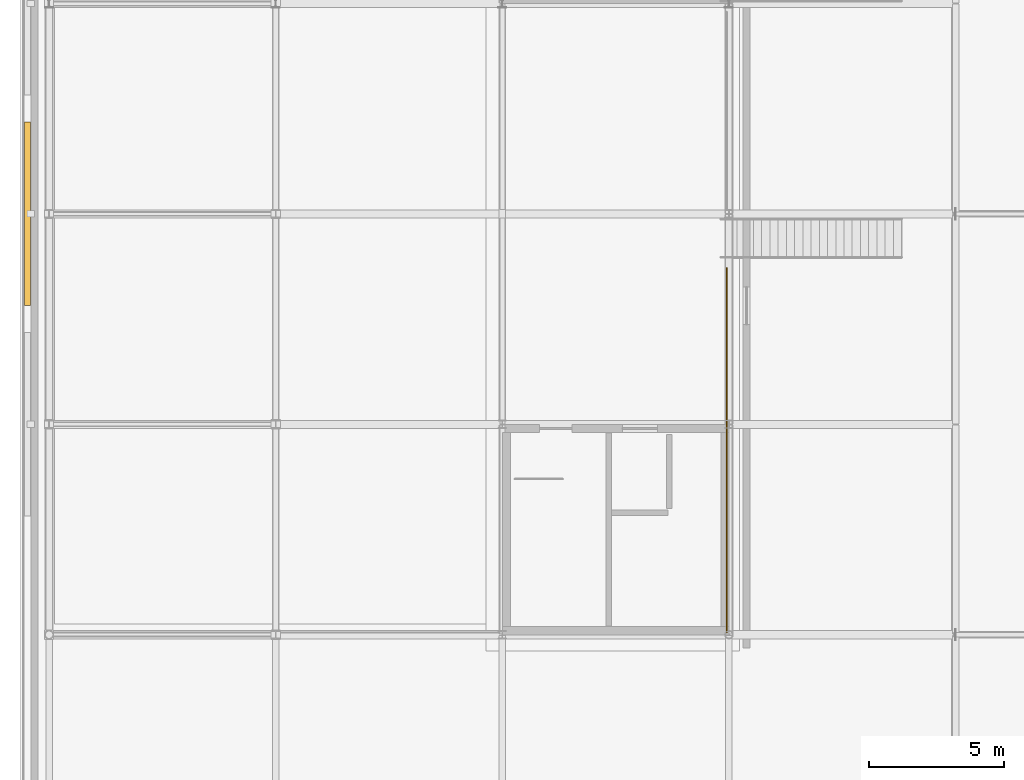
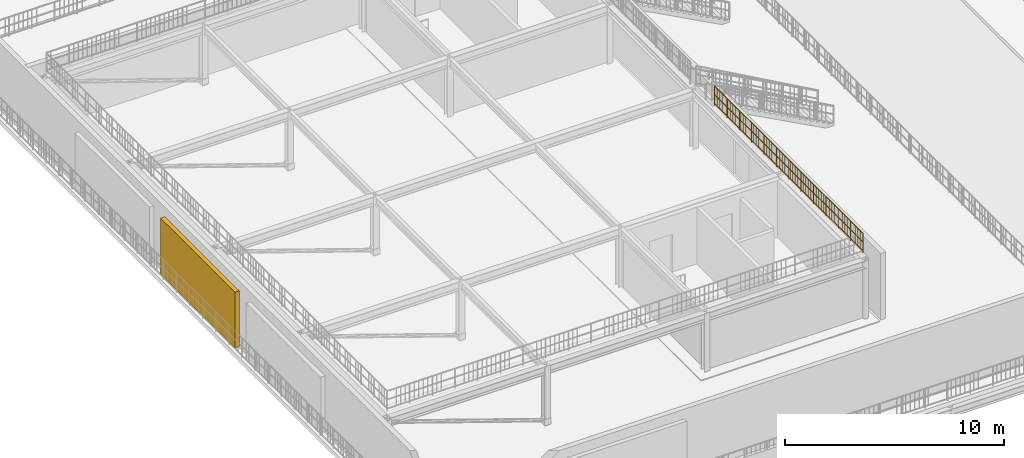
# One storey, part 10 of 16: 1 railing, 1 shading device.
"""IFC4 building model written with IfcOpenShell, lengths in metres."""

from ifc_helpers import new_model, si_unit, direction, frame, origin, origin_2d, place, context, subcontext, project, spatial, rectangle, circle, extrude, material, layer, layer_set, type_object, element, save


model = new_model("IFC4")

# Units and contexts
model_context = context("Model", 3, precision=1e-05, world=origin(), true_north=direction((0.0, 1.0)))
body_context = subcontext(model_context, "Body", "Model", "MODEL_VIEW")
ifc_project = project(units=[si_unit("LENGTHUNIT", "METRE"), si_unit("AREAUNIT", "SQUARE_METRE"), si_unit("VOLUMEUNIT", "CUBIC_METRE"), si_unit("PLANEANGLEUNIT", "RADIAN"), si_unit("MASSUNIT", "GRAM", prefix="KILO")], contexts=[model_context])

# Site, building, storey
site_placement = place(None, origin())
site = spatial("IfcSite", under=ifc_project, at=site_placement, CompositionType="ELEMENT")
building_placement = place(site_placement, origin())
building = spatial("IfcBuilding", under=site, at=building_placement, Name="Nabrawat Pavilion Hospital", CompositionType="ELEMENT")
storey_placement = place(building_placement, frame((0.0, 0.0, 35.10009765625)))
storey = spatial("IfcBuildingStorey", under=building, at=storey_placement, Name="Roof", CompositionType="ELEMENT", Elevation=35.10009765625)

# Railing
ifc_material_1 = material(Name="Stainless Steel 316", Category="steel")
ifc_layer_1 = layer(ifc_material_1, 0.070068359375, Name="Stainless Steel 316")
ifc_layer_set_1 = layer_set([ifc_layer_1], Name="Stainless Steel 316")
railing_type = type_object("IfcRailingType", Name="Exterior Clinical Terrace Safety Guardrail 1100", PredefinedType="GUARDRAIL", material=ifc_layer_set_1)
railing_placement = place(storey_placement, frame((176.320068359375, 46.8798828125, 3.599853515625)))
element("IfcRailing", 1, at=railing_placement, inside=storey, type_object=railing_type, Name="Rooftop Helipad Deck Safety Perimeter Guardrail East-S", PredefinedType="GUARDRAIL", context=body_context, shape_type="SweptSolid", body=[
    extrude(circle(Radius=0.02392578125, at=origin_2d()), frame((0.0, 0.0, 1.076171875), z_axis=(0.0, 1.0, 0.0), x_axis=(-1.0, 0.0, 0.0)), (0.0, 0.0, 1.0), 13.52001953125),
    extrude(circle(Radius=0.02392578125, at=origin_2d()), frame((0.0, 0.0, 0.10009765625), z_axis=(0.0, 1.0, 0.0), x_axis=(-1.0, 0.0, 0.0)), (0.0, 0.0, 1.0), 13.52001953125),
    extrude(circle(Radius=0.02392578125, at=origin_2d()), frame((0.0, 0.0, 0.60498046875), z_axis=(0.0, 1.0, 0.0), x_axis=(-1.0, 0.0, 0.0)), (0.0, 0.0, 1.0), 13.52001953125),
    extrude(circle(Radius=0.008056640625, at=origin_2d()), frame((0.0, 0.2373046875, 0.10009765625)), (0.0, 0.0, 1.0), 0.951904296875),
    extrude(circle(Radius=0.008056640625, at=origin_2d()), frame((0.0, 0.474365234375, 0.10009765625)), (0.0, 0.0, 1.0), 0.951904296875),
    extrude(circle(Radius=0.008056640625, at=origin_2d()), frame((0.0, 0.711669921875, 0.10009765625)), (0.0, 0.0, 1.0), 0.951904296875),
    extrude(circle(Radius=0.008056640625, at=origin_2d()), frame((0.0, 0.94873046875, 0.10009765625)), (0.0, 0.0, 1.0), 0.951904296875),
    extrude(circle(Radius=0.008056640625, at=origin_2d()), frame((0.0, 1.18603515625, 0.10009765625)), (0.0, 0.0, 1.0), 0.951904296875),
    extrude(circle(Radius=0.008056640625, at=origin_2d()), frame((0.0, 1.423095703125, 0.10009765625)), (0.0, 0.0, 1.0), 0.951904296875),
    extrude(circle(Radius=0.008056640625, at=origin_2d()), frame((0.0, 1.660400390625, 0.10009765625)), (0.0, 0.0, 1.0), 0.951904296875),
    extrude(circle(Radius=0.008056640625, at=origin_2d()), frame((0.0, 1.8974609375, 0.10009765625)), (0.0, 0.0, 1.0), 0.951904296875),
    extrude(circle(Radius=0.008056640625, at=origin_2d()), frame((0.0, 2.134765625, 0.10009765625)), (0.0, 0.0, 1.0), 0.951904296875),
    extrude(circle(Radius=0.008056640625, at=origin_2d()), frame((0.0, 2.371826171875, 0.10009765625)), (0.0, 0.0, 1.0), 0.951904296875),
    extrude(circle(Radius=0.008056640625, at=origin_2d()), frame((0.0, 2.609130859375, 0.10009765625)), (0.0, 0.0, 1.0), 0.951904296875),
    extrude(circle(Radius=0.008056640625, at=origin_2d()), frame((0.0, 2.846435546875, 0.10009765625)), (0.0, 0.0, 1.0), 0.951904296875),
    extrude(circle(Radius=0.008056640625, at=origin_2d()), frame((0.0, 3.08349609375, 0.10009765625)), (0.0, 0.0, 1.0), 0.951904296875),
    extrude(circle(Radius=0.008056640625, at=origin_2d()), frame((0.0, 3.32080078125, 0.10009765625)), (0.0, 0.0, 1.0), 0.951904296875),
    extrude(circle(Radius=0.008056640625, at=origin_2d()), frame((0.0, 3.557861328125, 0.10009765625)), (0.0, 0.0, 1.0), 0.951904296875),
    extrude(circle(Radius=0.008056640625, at=origin_2d()), frame((0.0, 3.795166015625, 0.10009765625)), (0.0, 0.0, 1.0), 0.951904296875),
    extrude(circle(Radius=0.008056640625, at=origin_2d()), frame((0.0, 4.0322265625, 0.10009765625)), (0.0, 0.0, 1.0), 0.951904296875),
    extrude(circle(Radius=0.008056640625, at=origin_2d()), frame((0.0, 4.26953125, 0.10009765625)), (0.0, 0.0, 1.0), 0.951904296875),
    extrude(circle(Radius=0.008056640625, at=origin_2d()), frame((0.0, 4.743896484375, 0.10009765625)), (0.0, 0.0, 1.0), 0.951904296875),
    extrude(circle(Radius=0.008056640625, at=origin_2d()), frame((0.0, 4.98095703125, 0.10009765625)), (0.0, 0.0, 1.0), 0.951904296875),
    extrude(circle(Radius=0.008056640625, at=origin_2d()), frame((0.0, 5.21826171875, 0.10009765625)), (0.0, 0.0, 1.0), 0.951904296875),
    extrude(circle(Radius=0.008056640625, at=origin_2d()), frame((0.0, 5.45556640625, 0.10009765625)), (0.0, 0.0, 1.0), 0.951904296875),
    extrude(circle(Radius=0.008056640625, at=origin_2d()), frame((0.0, 5.692626953125, 0.10009765625)), (0.0, 0.0, 1.0), 0.951904296875),
    extrude(circle(Radius=0.008056640625, at=origin_2d()), frame((0.0, 5.929931640625, 0.10009765625)), (0.0, 0.0, 1.0), 0.951904296875),
    extrude(circle(Radius=0.008056640625, at=origin_2d()), frame((0.0, 6.1669921875, 0.10009765625)), (0.0, 0.0, 1.0), 0.951904296875),
    extrude(circle(Radius=0.008056640625, at=origin_2d()), frame((0.0, 6.404296875, 0.10009765625)), (0.0, 0.0, 1.0), 0.951904296875),
    extrude(circle(Radius=0.008056640625, at=origin_2d()), frame((0.0, 6.641357421875, 0.10009765625)), (0.0, 0.0, 1.0), 0.951904296875),
    extrude(circle(Radius=0.008056640625, at=origin_2d()), frame((0.0, 6.878662109375, 0.10009765625)), (0.0, 0.0, 1.0), 0.951904296875),
    extrude(circle(Radius=0.008056640625, at=origin_2d()), frame((0.0, 7.11572265625, 0.10009765625)), (0.0, 0.0, 1.0), 0.951904296875),
    extrude(circle(Radius=0.008056640625, at=origin_2d()), frame((0.0, 7.35302734375, 0.10009765625)), (0.0, 0.0, 1.0), 0.951904296875),
    extrude(circle(Radius=0.008056640625, at=origin_2d()), frame((0.0, 7.590087890625, 0.10009765625)), (0.0, 0.0, 1.0), 0.951904296875),
    extrude(circle(Radius=0.008056640625, at=origin_2d()), frame((0.0, 7.827392578125, 0.10009765625)), (0.0, 0.0, 1.0), 0.951904296875),
    extrude(circle(Radius=0.008056640625, at=origin_2d()), frame((0.0, 8.064453125, 0.10009765625)), (0.0, 0.0, 1.0), 0.951904296875),
    extrude(circle(Radius=0.008056640625, at=origin_2d()), frame((0.0, 8.3017578125, 0.10009765625)), (0.0, 0.0, 1.0), 0.951904296875),
    extrude(circle(Radius=0.008056640625, at=origin_2d()), frame((0.0, 8.5390625, 0.10009765625)), (0.0, 0.0, 1.0), 0.951904296875),
    extrude(circle(Radius=0.008056640625, at=origin_2d()), frame((0.0, 8.776123046875, 0.10009765625)), (0.0, 0.0, 1.0), 0.951904296875),
    extrude(circle(Radius=0.008056640625, at=origin_2d()), frame((0.0, 9.25048828125, 0.10009765625)), (0.0, 0.0, 1.0), 0.951904296875),
    extrude(circle(Radius=0.008056640625, at=origin_2d()), frame((0.0, 9.48779296875, 0.10009765625)), (0.0, 0.0, 1.0), 0.951904296875),
    extrude(circle(Radius=0.008056640625, at=origin_2d()), frame((0.0, 9.724853515625, 0.10009765625)), (0.0, 0.0, 1.0), 0.951904296875),
    extrude(circle(Radius=0.008056640625, at=origin_2d()), frame((0.0, 9.962158203125, 0.10009765625)), (0.0, 0.0, 1.0), 0.951904296875),
    extrude(circle(Radius=0.008056640625, at=origin_2d()), frame((0.0, 10.19921875, 0.10009765625)), (0.0, 0.0, 1.0), 0.951904296875),
    extrude(circle(Radius=0.008056640625, at=origin_2d()), frame((0.0, 10.4365234375, 0.10009765625)), (0.0, 0.0, 1.0), 0.951904296875),
    extrude(circle(Radius=0.008056640625, at=origin_2d()), frame((0.0, 10.673583984375, 0.10009765625)), (0.0, 0.0, 1.0), 0.951904296875),
    extrude(circle(Radius=0.008056640625, at=origin_2d()), frame((0.0, 10.910888671875, 0.10009765625)), (0.0, 0.0, 1.0), 0.951904296875),
    extrude(circle(Radius=0.008056640625, at=origin_2d()), frame((0.0, 11.148193359375, 0.10009765625)), (0.0, 0.0, 1.0), 0.951904296875),
    extrude(circle(Radius=0.008056640625, at=origin_2d()), frame((0.0, 11.38525390625, 0.10009765625)), (0.0, 0.0, 1.0), 0.951904296875),
    extrude(circle(Radius=0.008056640625, at=origin_2d()), frame((0.0, 11.62255859375, 0.10009765625)), (0.0, 0.0, 1.0), 0.951904296875),
    extrude(circle(Radius=0.008056640625, at=origin_2d()), frame((0.0, 11.859619140625, 0.10009765625)), (0.0, 0.0, 1.0), 0.951904296875),
    extrude(circle(Radius=0.008056640625, at=origin_2d()), frame((0.0, 12.096923828125, 0.10009765625)), (0.0, 0.0, 1.0), 0.951904296875),
    extrude(circle(Radius=0.008056640625, at=origin_2d()), frame((0.0, 12.333984375, 0.10009765625)), (0.0, 0.0, 1.0), 0.951904296875),
    extrude(circle(Radius=0.008056640625, at=origin_2d()), frame((0.0, 12.5712890625, 0.10009765625)), (0.0, 0.0, 1.0), 0.951904296875),
    extrude(circle(Radius=0.008056640625, at=origin_2d()), frame((0.0, 12.808349609375, 0.10009765625)), (0.0, 0.0, 1.0), 0.951904296875),
    extrude(circle(Radius=0.008056640625, at=origin_2d()), frame((0.0, 13.045654296875, 0.10009765625)), (0.0, 0.0, 1.0), 0.951904296875),
    extrude(circle(Radius=0.008056640625, at=origin_2d()), frame((0.0, 13.28271484375, 0.10009765625)), (0.0, 0.0, 1.0), 0.951904296875),
    extrude(circle(Radius=0.02099609375, at=origin_2d()), origin(), (0.0, 0.0, 1.0), 1.052001953125),
    extrude(circle(Radius=0.02099609375, at=origin_2d()), frame((0.0, 1.126708984375, 0.0)), (0.0, 0.0, 1.0), 1.052001953125),
    extrude(circle(Radius=0.02099609375, at=origin_2d()), frame((0.0, 2.25341796875, 0.0)), (0.0, 0.0, 1.0), 1.052001953125),
    extrude(circle(Radius=0.02099609375, at=origin_2d()), frame((0.0, 3.3798828125, 0.0)), (0.0, 0.0, 1.0), 1.052001953125),
    extrude(circle(Radius=0.02099609375, at=origin_2d()), frame((0.0, 4.506591796875, 0.0)), (0.0, 0.0, 1.0), 1.052001953125),
    extrude(circle(Radius=0.02099609375, at=origin_2d()), frame((0.0, 5.63330078125, 0.0)), (0.0, 0.0, 1.0), 1.052001953125),
    extrude(circle(Radius=0.02099609375, at=origin_2d()), frame((0.0, 6.760009765625, 0.0)), (0.0, 0.0, 1.0), 1.052001953125),
    extrude(circle(Radius=0.02099609375, at=origin_2d()), frame((0.0, 7.88671875, 0.0)), (0.0, 0.0, 1.0), 1.052001953125),
    extrude(circle(Radius=0.02099609375, at=origin_2d()), frame((0.0, 9.013427734375, 0.0)), (0.0, 0.0, 1.0), 1.052001953125),
    extrude(circle(Radius=0.02099609375, at=origin_2d()), frame((0.0, 10.14013671875, 0.0)), (0.0, 0.0, 1.0), 1.052001953125),
    extrude(circle(Radius=0.02099609375, at=origin_2d()), frame((0.0, 11.2666015625, 0.0)), (0.0, 0.0, 1.0), 1.052001953125),
    extrude(circle(Radius=0.02099609375, at=origin_2d()), frame((0.0, 12.393310546875, 0.0)), (0.0, 0.0, 1.0), 1.052001953125),
    extrude(circle(Radius=0.02099609375, at=origin_2d()), frame((0.0, 13.52001953125, 0.0)), (0.0, 0.0, 1.0), 1.052001953125),
])

# Shading device
ifc_material_2 = material(Name="Anodised Aluminium", Category="aluminium")
ifc_layer_2 = layer(ifc_material_2, 3.10009765625, Name="Anodised Aluminium")
ifc_layer_set_2 = layer_set([ifc_layer_2], Name="Anodised Aluminium")
shading_device_type = type_object("IfcShadingDeviceType", Name="Helipad Crown Acoustic Mechanical Louver Screen", PredefinedType="JALOUSIE", material=ifc_layer_set_2)
shading_device_placement = place(storey_placement, frame((150.39990234375, 62.39990234375, 0.06982421875), z_axis=(0.0, 0.0, 1.0), x_axis=(0.0, 1.0, 0.0)))
element("IfcShadingDevice", 2, at=shading_device_placement, inside=storey, type_object=shading_device_type, Name="Roof Helipad Undercroft Acoustic Louver Screen 02", PredefinedType="JALOUSIE", context=body_context, shape_type="SweptSolid", body=[
    extrude(rectangle(XDim=6.800048828125, YDim=0.219970703125, at=origin_2d()), origin(), (0.0, 0.0, 1.0), 3.10009765625),
])

save(model, "model.ifc")
